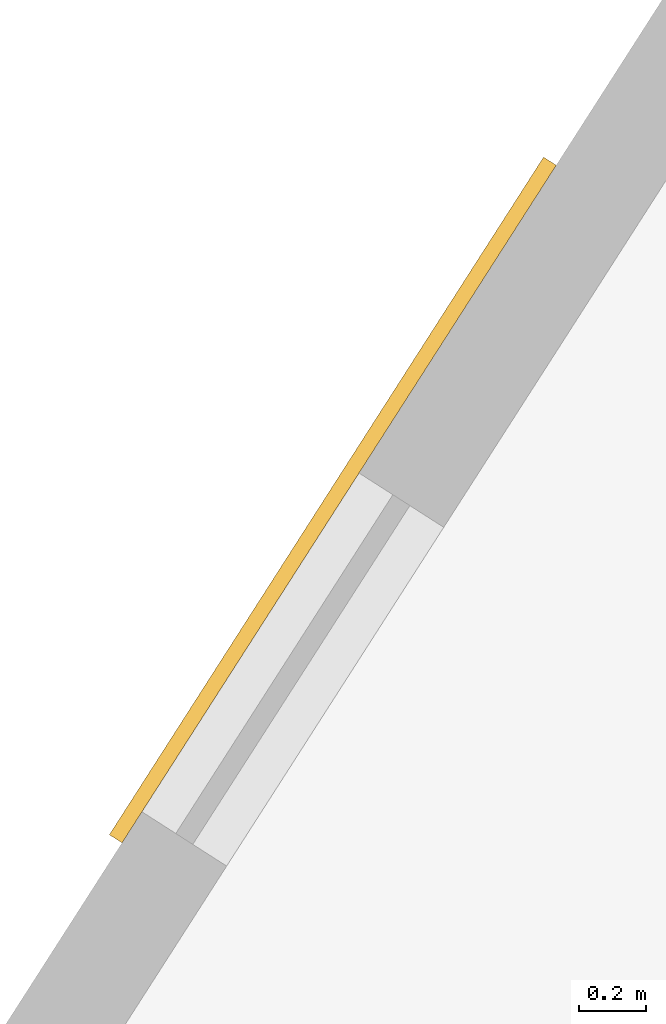
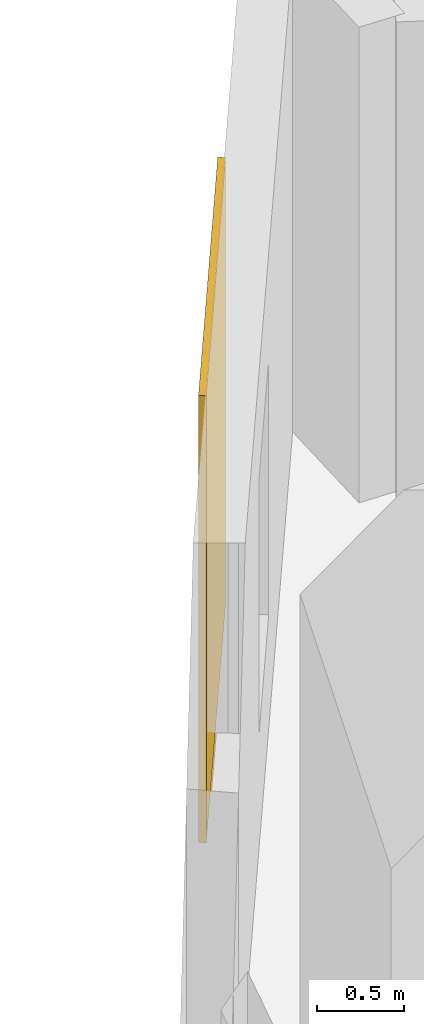
# One storey, part 11 of 11: 1 covering.
"""IFC4 building model written with IfcOpenShell, lengths in metres."""

from ifc_helpers import new_model, si_unit, direction, frame, origin, origin_2d, place, context, subcontext, project, spatial, rectangle, extrude, material, layer, layer_set, type_object, element, save


model = new_model("IFC4")

# Units and contexts
model_context = context("Model", 3, precision=1e-05, world=origin(), true_north=direction((0.0, 1.0)))
body_context = subcontext(model_context, "Body", "Model", "MODEL_VIEW")
ifc_project = project(units=[si_unit("LENGTHUNIT", "METRE"), si_unit("AREAUNIT", "SQUARE_METRE"), si_unit("VOLUMEUNIT", "CUBIC_METRE"), si_unit("PLANEANGLEUNIT", "RADIAN"), si_unit("MASSUNIT", "GRAM", prefix="KILO")], contexts=[model_context])

# Site, building, storey
site_placement = place(None, origin())
site = spatial("IfcSite", under=ifc_project, at=site_placement, CompositionType="ELEMENT")
building_placement = place(site_placement, origin())
building = spatial("IfcBuilding", under=site, at=building_placement, Name="Almagre Mirador Tower", CompositionType="ELEMENT")
storey_placement = place(building_placement, frame((0.0, 0.0, 168.0)))
storey = spatial("IfcBuildingStorey", under=building, at=storey_placement, Name="L43", CompositionType="ELEMENT", Elevation=168.0)

# Covering
ifc_material = material(Name="Almagre terracotta architectural cladding", Category="masonry")
ifc_layer = layer(ifc_material, 0.044921875)
ifc_layer_set = layer_set([ifc_layer], Name="Almagre terracotta architectural cladding")
covering_type = type_object("IfcCoveringType", Name="COV-CLAD-ALMAGRE", PredefinedType="CLADDING", material=ifc_layer_set)
covering_placement = place(storey_placement, frame((33.73291015625, 36.66015625, 0.10009765625), z_axis=(0.0, 0.0, 1.0), x_axis=(0.539535148555, 0.841963077263, 0.0)))
element("IfcCovering", 1, at=covering_placement, inside=storey, type_object=covering_type, Name="L43 almagre terracotta pier cladding", PredefinedType="CLADDING", context=body_context, shape_type="SweptSolid", body=[
    extrude(rectangle(XDim=2.39990234375, YDim=0.044921875, at=origin_2d()), origin(), (0.0, 0.0, 1.0), 3.14990234375),
])

save(model, "model.ifc")
